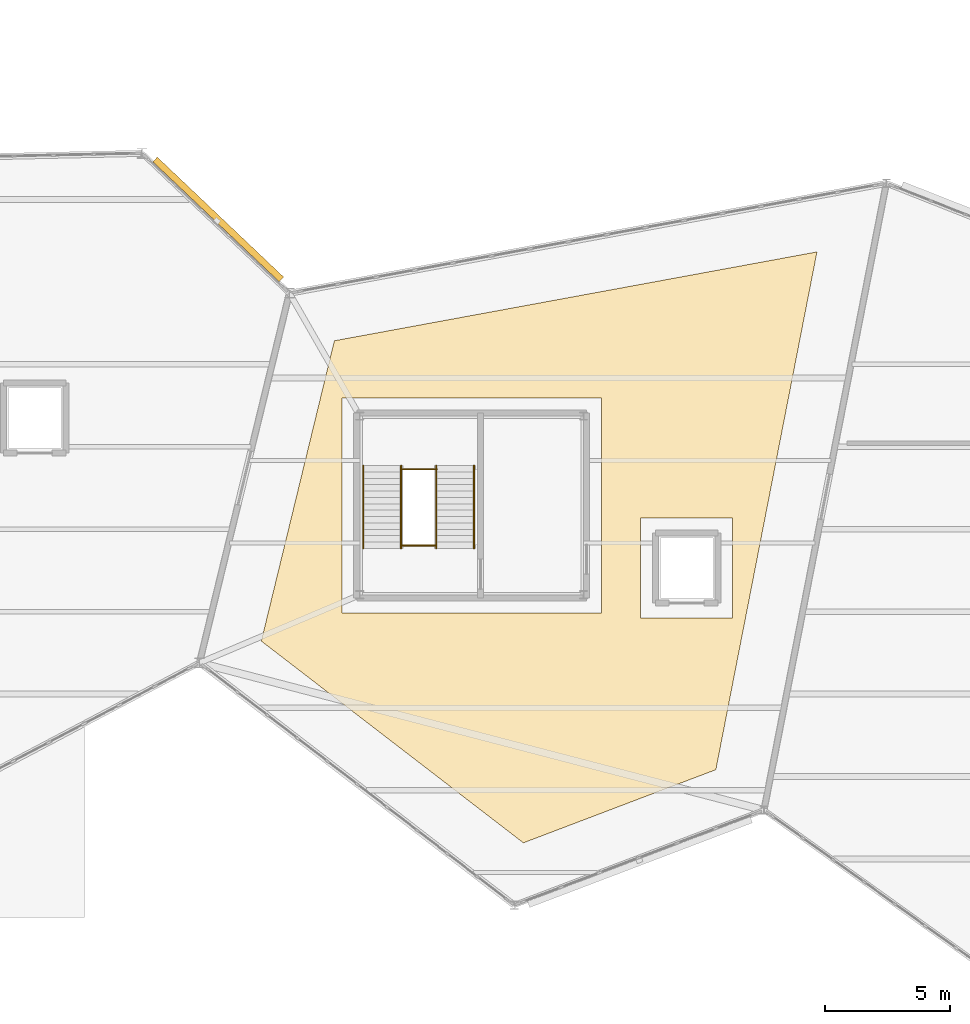
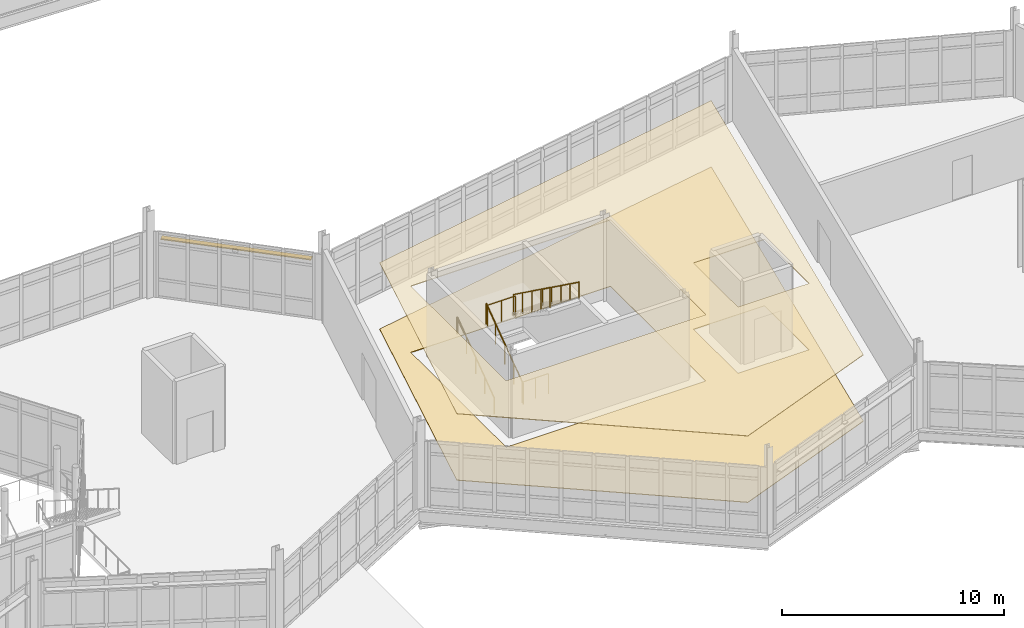
# One storey, part 131 of 134: 6 railings, 2 coverings, 1 shading device.
"""IFC4 building model written with IfcOpenShell, lengths in metres."""

from ifc_helpers import new_model, si_unit, direction, frame, origin, origin_2d, place, context, subcontext, project, spatial, polyline, rectangle, circle, outline, extrude, material, layer, layer_set, type_object, element, save


model = new_model("IFC4")

# Units and contexts
model_context = context("Model", 3, precision=1e-05, world=origin(), true_north=direction((0.0, 1.0)))
body_context = subcontext(model_context, "Body", "Model", "MODEL_VIEW")
ifc_project = project(units=[si_unit("LENGTHUNIT", "METRE"), si_unit("AREAUNIT", "SQUARE_METRE"), si_unit("VOLUMEUNIT", "CUBIC_METRE"), si_unit("PLANEANGLEUNIT", "RADIAN"), si_unit("MASSUNIT", "GRAM", prefix="KILO")], contexts=[model_context])

# Site, building, storey
site_placement = place(None, origin())
site = spatial("IfcSite", under=ifc_project, at=site_placement, CompositionType="ELEMENT")
building_placement = place(site_placement, origin())
building = spatial("IfcBuilding", under=site, at=building_placement, Name="Tameran Prism Museum", CompositionType="ELEMENT")
storey_placement = place(building_placement, frame((0.0, 0.0, 5.39990234375)))
storey = spatial("IfcBuildingStorey", under=building, at=storey_placement, Name="L01", CompositionType="ELEMENT", Elevation=5.39990234375)

# Coverings
ifc_material_1 = material(Name="Perforated Acoustic Timber Slat Ceiling", Category="wood")
ifc_layer_1 = layer(ifc_material_1, 0.034912109375)
ifc_layer_set_1 = layer_set([ifc_layer_1])
covering_type_1 = type_object("IfcCoveringType", Name="CV-CEIL-AC", PredefinedType="CEILING", material=ifc_layer_set_1)
covering_1_placement = place(storey_placement, frame((0.0, 0.0, 3.650146484375)))
element("IfcCovering", 1, at=covering_1_placement, inside=storey, type_object=covering_type_1, Name="Acoustic Gallery Ceiling CLG-06", PredefinedType="CEILING", context=body_context, shape_type="SweptSolid", body=[
    extrude(outline(polyline([(103.5009765625, 41.094970703125), (122.822021484375, 44.652099609375), (118.77490234375, 23.922119140625), (111.068115234375, 20.992919921875), (100.575927734375, 29.070068359375), (103.5009765625, 41.094970703125)]), holes=[polyline([(119.449951171875, 34.0), (115.75, 34.0), (115.75, 30.0), (119.449951171875, 30.0), (119.449951171875, 34.0)]), polyline([(114.199951171875, 30.199951171875), (114.199951171875, 38.800048828125), (103.800048828125, 38.800048828125), (103.800048828125, 30.199951171875), (114.199951171875, 30.199951171875)])]), origin(), (0.0, 0.0, 1.0), 0.034912109375),
])
ifc_material_2 = material(Name="Honed Porcellanite Terrazzo Flooring")
ifc_layer_2 = layer(ifc_material_2, 0.030029296875)
ifc_layer_set_2 = layer_set([ifc_layer_2])
covering_type_2 = type_object("IfcCoveringType", Name="CV-FLR-TER", PredefinedType="FLOORING", material=ifc_layer_set_2)
covering_2_placement = place(storey_placement, origin())
element("IfcCovering", 2, at=covering_2_placement, inside=storey, type_object=covering_type_2, Name="Porcellanite Terrazzo Floor FLR-06", PredefinedType="FLOORING", context=body_context, shape_type="SweptSolid", body=[
    extrude(outline(polyline([(103.5009765625, 41.094970703125), (122.822021484375, 44.652099609375), (118.77490234375, 23.922119140625), (111.068115234375, 20.992919921875), (100.575927734375, 29.070068359375), (103.5009765625, 41.094970703125)]), holes=[polyline([(119.449951171875, 34.0), (115.75, 34.0), (115.75, 30.0), (119.449951171875, 30.0), (119.449951171875, 34.0)]), polyline([(114.199951171875, 30.199951171875), (114.199951171875, 38.800048828125), (103.800048828125, 38.800048828125), (103.800048828125, 30.199951171875), (114.199951171875, 30.199951171875)])]), origin(), (0.0, 0.0, 1.0), 0.030029296875),
])

# Railings
ifc_material_3 = material(Name="Marine Stainless Steel 316", Category="steel")
ifc_layer_3 = layer(ifc_material_3, 0.054931640625)
ifc_layer_set_3 = layer_set([ifc_layer_3])
railing_type_1 = type_object("IfcRailingType", Name="RL-GR-1120", PredefinedType="GUARDRAIL", material=ifc_layer_set_3)
railing_1_placement = place(storey_placement, frame((106.18994140625, 32.89990234375, 0.0)))
element("IfcRailing", 3, at=railing_1_placement, inside=storey, type_object=railing_type_1, Name="Stair Well Slot Guard GR-S128", PredefinedType="GUARDRAIL", context=body_context, shape_type="SweptSolid", body=[
    extrude(circle(Radius=0.02392578125, at=origin_2d()), frame((0.0, 0.0, 1.1259765625), z_axis=(1.0, 0.0, 0.0), x_axis=(0.0, 1.0, 0.0)), (0.0, 0.0, 1.0), 1.3701171875),
    extrude(circle(Radius=0.02099609375, at=origin_2d()), origin(), (0.0, 0.0, 1.0), 1.101806640625),
    extrude(circle(Radius=0.02099609375, at=origin_2d()), frame((0.68505859375, 0.0, 0.0)), (0.0, 0.0, 1.0), 1.101806640625),
    extrude(circle(Radius=0.02099609375, at=origin_2d()), frame((1.3701171875, 0.0, 0.0)), (0.0, 0.0, 1.0), 1.101806640625),
])
railing_2_placement = place(storey_placement, frame((106.169921875, 32.780029296875, 0.0)))
element("IfcRailing", 4, at=railing_2_placement, inside=storey, type_object=railing_type_1, Name="Stair Well Guardrail GR-S129", PredefinedType="GUARDRAIL", context=body_context, shape_type="SweptSolid", body=[
    extrude(circle(Radius=0.02392578125, at=origin_2d()), frame((0.0, 0.0, 1.1259765625), z_axis=(0.0, 0.809980229442, 0.586457183359), x_axis=(-1.0, 0.0, 0.0)), (0.0, 0.0, 1.0), 4.092529296875),
    extrude(circle(Radius=0.02099609375, at=origin_2d()), origin(), (0.0, 0.0, 1.0), 1.101806640625),
    extrude(circle(Radius=0.02099609375, at=origin_2d()), frame((0.0, 0.82861328125, 0.60009765625)), (0.0, 0.0, 1.0), 1.101806640625),
    extrude(circle(Radius=0.02099609375, at=origin_2d()), frame((0.0, 1.657470703125, 1.2001953125)), (0.0, 0.0, 1.0), 1.101806640625),
    extrude(circle(Radius=0.02099609375, at=origin_2d()), frame((0.0, 2.486328125, 1.800048828125)), (0.0, 0.0, 1.0), 1.101806640625),
    extrude(circle(Radius=0.02099609375, at=origin_2d()), frame((0.0, 3.31494140625, 2.400146484375)), (0.0, 0.0, 1.0), 1.101806640625),
])
railing_3_placement = place(storey_placement, frame((107.580078125, 36.094970703125, 2.400146484375)))
element("IfcRailing", 5, at=railing_3_placement, inside=storey, type_object=railing_type_1, Name="Stair Well Guardrail GR-S130", PredefinedType="GUARDRAIL", context=body_context, shape_type="SweptSolid", body=[
    extrude(circle(Radius=0.02392578125, at=origin_2d()), frame((0.0, 0.0, 1.1259765625), z_axis=(0.0, -0.810008566192, 0.586418044312), x_axis=(1.0, 0.0, 0.0)), (0.0, 0.0, 1.0), 4.092529296875),
    extrude(circle(Radius=0.02099609375, at=origin_2d()), origin(), (0.0, 0.0, 1.0), 1.101806640625),
    extrude(circle(Radius=0.02099609375, at=origin_2d()), frame((0.0, -0.82861328125, 0.60009765625)), (0.0, 0.0, 1.0), 1.101806640625),
    extrude(circle(Radius=0.02099609375, at=origin_2d()), frame((0.0, -1.657470703125, 1.199951171875)), (0.0, 0.0, 1.0), 1.101806640625),
    extrude(circle(Radius=0.02099609375, at=origin_2d()), frame((0.0, -2.486328125, 1.7998046875)), (0.0, 0.0, 1.0), 1.101806640625),
    extrude(circle(Radius=0.02099609375, at=origin_2d()), frame((0.0, -3.31494140625, 2.39990234375)), (0.0, 0.0, 1.0), 1.101806640625),
])
railing_4_placement = place(storey_placement, frame((106.14990234375, 35.955078125, 2.400146484375)))
element("IfcRailing", 6, at=railing_4_placement, inside=storey, type_object=railing_type_1, Name="Landing Well Guardrail GR-S131", PredefinedType="GUARDRAIL", context=body_context, shape_type="SweptSolid", body=[
    extrude(circle(Radius=0.02392578125, at=origin_2d()), frame((0.0, 0.0, 1.1259765625), z_axis=(1.0, 0.0, 0.0), x_axis=(0.0, 1.0, 0.0)), (0.0, 0.0, 1.0), 1.4501953125),
    extrude(circle(Radius=0.02099609375, at=origin_2d()), origin(), (0.0, 0.0, 1.0), 1.101806640625),
    extrude(circle(Radius=0.02099609375, at=origin_2d()), frame((0.72509765625, 0.0, 0.0)), (0.0, 0.0, 1.0), 1.101806640625),
    extrude(circle(Radius=0.02099609375, at=origin_2d()), frame((1.4501953125, 0.0, 0.0)), (0.0, 0.0, 1.0), 1.101806640625),
])
ifc_material_4 = material(Name="Brushed Stainless Steel 316", Category="steel")
ifc_layer_4 = layer(ifc_material_4, 0.048095703125)
ifc_layer_set_4 = layer_set([ifc_layer_4])
railing_type_2 = type_object("IfcRailingType", Name="RL-HR-920", PredefinedType="HANDRAIL", material=ifc_layer_set_4)
railing_5_placement = place(storey_placement, frame((104.659912109375, 32.780029296875, 0.0)))
element("IfcRailing", 7, at=railing_5_placement, inside=storey, type_object=railing_type_2, Name="Stair Flight Handrail HR-065", PredefinedType="HANDRAIL", context=body_context, shape_type="SweptSolid", body=[
    extrude(circle(Radius=0.02392578125, at=origin_2d()), frame((0.0, 0.0, 0.89599609375), z_axis=(0.0, 0.809980229442, 0.586457183359), x_axis=(-1.0, 0.0, 0.0)), (0.0, 0.0, 1.0), 4.092529296875),
    extrude(circle(Radius=0.02099609375, at=origin_2d()), origin(), (0.0, 0.0, 1.0), 0.871826171875),
    extrude(circle(Radius=0.02099609375, at=origin_2d()), frame((0.0, 0.82861328125, 0.60009765625)), (0.0, 0.0, 1.0), 0.871826171875),
    extrude(circle(Radius=0.02099609375, at=origin_2d()), frame((0.0, 1.657470703125, 1.2001953125)), (0.0, 0.0, 1.0), 0.871826171875),
    extrude(circle(Radius=0.02099609375, at=origin_2d()), frame((0.0, 2.486328125, 1.800048828125)), (0.0, 0.0, 1.0), 0.871826171875),
    extrude(circle(Radius=0.02099609375, at=origin_2d()), frame((0.0, 3.31494140625, 2.400146484375)), (0.0, 0.0, 1.0), 0.871826171875),
])
railing_6_placement = place(storey_placement, frame((109.090087890625, 36.094970703125, 2.400146484375)))
element("IfcRailing", 8, at=railing_6_placement, inside=storey, type_object=railing_type_2, Name="Stair Flight Handrail HR-066", PredefinedType="HANDRAIL", context=body_context, shape_type="SweptSolid", body=[
    extrude(circle(Radius=0.02392578125, at=origin_2d()), frame((0.0, 0.0, 0.89599609375), z_axis=(0.0, -0.810008566192, 0.586418044312), x_axis=(1.0, 0.0, 0.0)), (0.0, 0.0, 1.0), 4.092529296875),
    extrude(circle(Radius=0.02099609375, at=origin_2d()), origin(), (0.0, 0.0, 1.0), 0.871826171875),
    extrude(circle(Radius=0.02099609375, at=origin_2d()), frame((0.0, -0.82861328125, 0.60009765625)), (0.0, 0.0, 1.0), 0.871826171875),
    extrude(circle(Radius=0.02099609375, at=origin_2d()), frame((0.0, -1.657470703125, 1.199951171875)), (0.0, 0.0, 1.0), 0.871826171875),
    extrude(circle(Radius=0.02099609375, at=origin_2d()), frame((0.0, -2.486328125, 1.7998046875)), (0.0, 0.0, 1.0), 0.871826171875),
    extrude(circle(Radius=0.02099609375, at=origin_2d()), frame((0.0, -3.31494140625, 2.39990234375)), (0.0, 0.0, 1.0), 0.871826171875),
])

# Shading device
ifc_material_5 = material(Name="Anodised Aluminium Alloy 6063-T6", Category="aluminium")
ifc_layer_5 = layer(ifc_material_5, 0.044921875)
ifc_layer_set_5 = layer_set([ifc_layer_5])
shading_device_type = type_object("IfcShadingDeviceType", Name="SH-JAL-240", PredefinedType="JALOUSIE", material=ifc_layer_set_5)
shading_device_placement = place(storey_placement, frame((98.85205078125, 45.950927734375, 3.14013671875), z_axis=(0.0, 0.0, 1.0), x_axis=(0.725374371012, -0.688354575694, 0.0)))
element("IfcShadingDevice", 9, at=shading_device_placement, inside=storey, type_object=shading_device_type, Name="Monsoon Storm Louvre SLV-024", PredefinedType="JALOUSIE", context=body_context, shape_type="SweptSolid", body=[
    extrude(rectangle(XDim=6.97509765625, YDim=0.260009765625, at=origin_2d()), origin(), (0.0, 0.0, 1.0), 0.06005859375),
])

save(model, "model.ifc")
